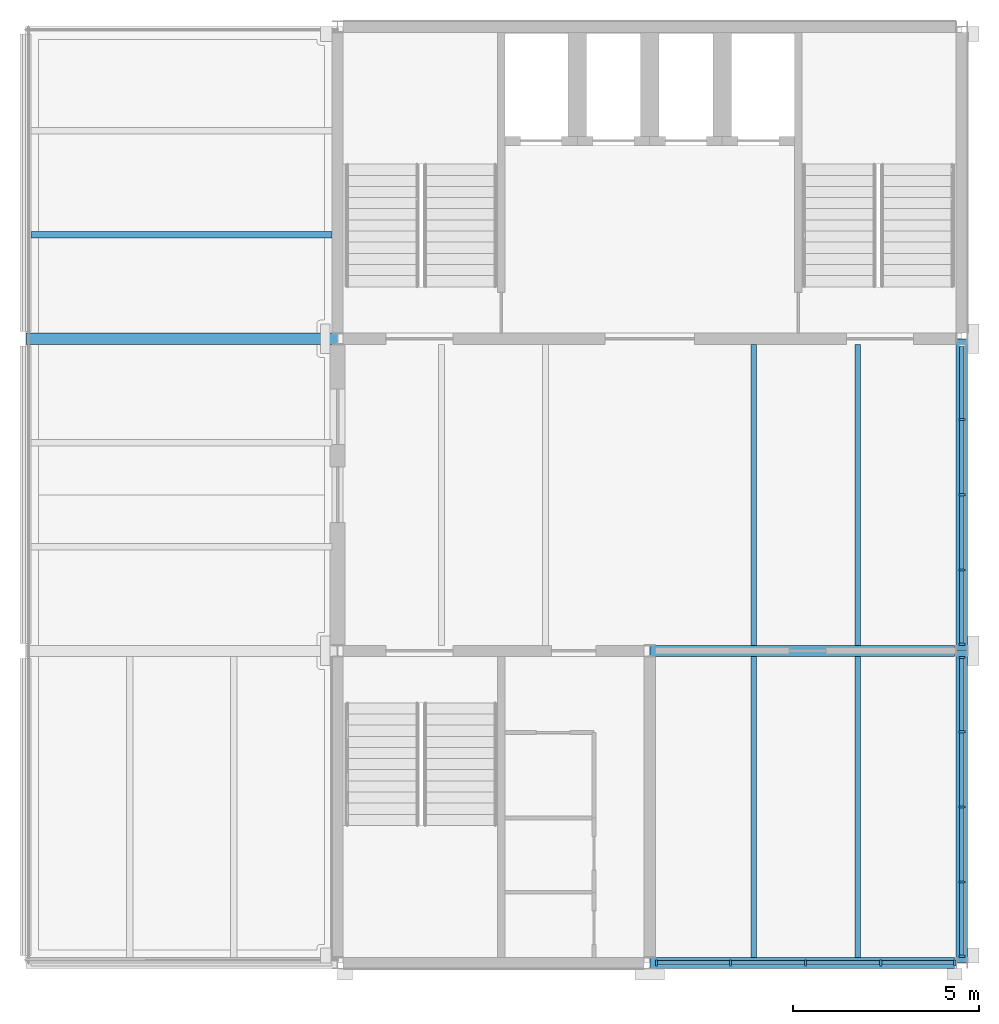
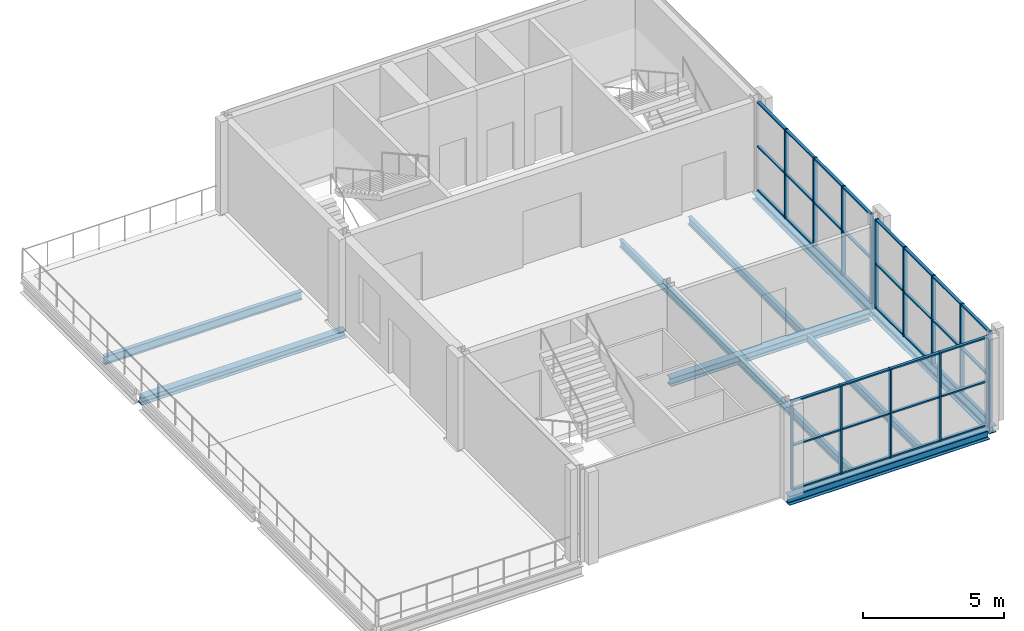
# One storey, part 2 of 6: 50 members, 10 beams, 3 elements without a shape of their own.
"""IFC4 building model written with IfcOpenShell, lengths in metres."""

from ifc_helpers import new_model, si_unit, direction, frame, origin, origin_2d, place, context, subcontext, project, spatial, rectangle, i_section, extrude, material, layer, layer_set, material_profile, profile_set, type_object, element, aggregate, save


model = new_model("IFC4")

# Units and contexts
model_context = context("Model", 3, precision=1e-05, world=origin(), true_north=direction((0.0, 1.0)))
body_context = subcontext(model_context, "Body", "Model", "MODEL_VIEW")
ifc_project = project(units=[si_unit("LENGTHUNIT", "METRE"), si_unit("AREAUNIT", "SQUARE_METRE"), si_unit("VOLUMEUNIT", "CUBIC_METRE"), si_unit("PLANEANGLEUNIT", "RADIAN"), si_unit("MASSUNIT", "GRAM", prefix="KILO")], contexts=[model_context])

# Site, building, storey
site_placement = place(None, origin())
site = spatial("IfcSite", under=ifc_project, at=site_placement, CompositionType="ELEMENT")
building_placement = place(site_placement, origin())
building = spatial("IfcBuilding", under=site, at=building_placement, Name="Galleria Vessillo Department Store", CompositionType="ELEMENT")
storey_placement = place(building_placement, frame((0.0, 0.0, 59.60009765625)))
storey = spatial("IfcBuildingStorey", under=building, at=storey_placement, Name="L13", CompositionType="ELEMENT", Elevation=59.60009765625)

# Curtain wall, members
ifc_material_1 = material(Name="Aluminium and glass curtain wall", Category="aluminium")
ifc_layer = layer(ifc_material_1, 0.159912109375)
ifc_layer_set = layer_set([ifc_layer], Name="Aluminium and glass curtain wall")
curtain_wall_type = type_object("IfcCurtainWallType", Name="Tower curtain wall CW4 2100 module", PredefinedType="NOTDEFINED", material=ifc_layer_set)
curtain_wall_1_placement = place(storey_placement, origin())
curtain_wall_1 = element("IfcCurtainWall", 1, at=curtain_wall_1_placement, inside=storey, type_object=curtain_wall_type, Name="Tower curtain wall CW4 2100 module TS-L13-01", PredefinedType="NOTDEFINED")
ifc_material_2 = material(Name="Aluminium alloy 6063 T6", Category="aluminium")
ifc_material_profile_1 = material_profile(ifc_material_2, rectangle(XDim=0.159912109375, YDim=0.06005859375, at=origin_2d()), Name="AL 60x160")
ifc_profile_set_1 = profile_set([ifc_material_profile_1], Name="Aluminium alloy 6063 T6")
member_type_1 = type_object("IfcMemberType", Name="Aluminium mullion 60 x 160", PredefinedType="MULLION", material=ifc_profile_set_1)
member_1_placement = place(storey_placement, frame((109.3798828125, 37.800048828125, 0.0), z_axis=(0.0, 0.0, 1.0), x_axis=(0.0, 1.0, 0.0)))
member_1 = element("IfcMember", 2, at=member_1_placement, type_object=member_type_1, Name="CW4 mullion 1", PredefinedType="MULLION", context=body_context, shape_type="SweptSolid", body=[
    extrude(rectangle(XDim=0.159912109375, YDim=0.06005859375, at=origin_2d()), origin(), (0.0, 0.0, 1.0), 3.85009765625),
])
member_2_placement = place(storey_placement, frame((111.37255859375, 37.800048828125, 0.0), z_axis=(0.0, 0.0, 1.0), x_axis=(0.0, 1.0, 0.0)))
member_2 = element("IfcMember", 3, at=member_2_placement, type_object=member_type_1, Name="CW4 mullion 2", PredefinedType="MULLION", context=body_context, shape_type="SweptSolid", body=[
    extrude(rectangle(XDim=0.159912109375, YDim=0.06005859375, at=origin_2d()), origin(), (0.0, 0.0, 1.0), 3.85009765625),
])
member_3_placement = place(storey_placement, frame((113.39501953125, 37.800048828125, 0.0), z_axis=(0.0, 0.0, 1.0), x_axis=(0.0, 1.0, 0.0)))
member_3 = element("IfcMember", 4, at=member_3_placement, type_object=member_type_1, Name="CW4 mullion 3", PredefinedType="MULLION", context=body_context, shape_type="SweptSolid", body=[
    extrude(rectangle(XDim=0.159912109375, YDim=0.06005859375, at=origin_2d()), origin(), (0.0, 0.0, 1.0), 3.85009765625),
])
member_4_placement = place(storey_placement, frame((115.41748046875, 37.800048828125, 0.0), z_axis=(0.0, 0.0, 1.0), x_axis=(0.0, 1.0, 0.0)))
member_4 = element("IfcMember", 5, at=member_4_placement, type_object=member_type_1, Name="CW4 mullion 4", PredefinedType="MULLION", context=body_context, shape_type="SweptSolid", body=[
    extrude(rectangle(XDim=0.159912109375, YDim=0.06005859375, at=origin_2d()), origin(), (0.0, 0.0, 1.0), 3.85009765625),
])
member_5_placement = place(storey_placement, frame((117.41015625, 37.800048828125, 0.0), z_axis=(0.0, 0.0, 1.0), x_axis=(0.0, 1.0, 0.0)))
member_5 = element("IfcMember", 6, at=member_5_placement, type_object=member_type_1, Name="CW4 mullion 5", PredefinedType="MULLION", context=body_context, shape_type="SweptSolid", body=[
    extrude(rectangle(XDim=0.159912109375, YDim=0.06005859375, at=origin_2d()), origin(), (0.0, 0.0, 1.0), 3.85009765625),
])

curtain_wall_2_placement = place(storey_placement, origin())
curtain_wall_2 = element("IfcCurtainWall", 7, at=curtain_wall_2_placement, inside=storey, type_object=curtain_wall_type, Name="Tower curtain wall CW4 2100 module TE-L13-01", PredefinedType="NOTDEFINED")
member_6_placement = place(storey_placement, frame((117.60009765625, 37.97998046875, 0.0), z_axis=(0.0, 0.0, 1.0), x_axis=(-1.0, 0.0, 0.0)))
member_6 = element("IfcMember", 8, at=member_6_placement, type_object=member_type_1, Name="CW4 mullion 1", PredefinedType="MULLION", context=body_context, shape_type="SweptSolid", body=[
    extrude(rectangle(XDim=0.159912109375, YDim=0.06005859375, at=origin_2d()), origin(), (0.0, 0.0, 1.0), 3.85009765625),
])
member_7_placement = place(storey_placement, frame((117.60009765625, 39.97509765625, 0.0), z_axis=(0.0, 0.0, 1.0), x_axis=(-1.0, 0.0, 0.0)))
member_7 = element("IfcMember", 9, at=member_7_placement, type_object=member_type_1, Name="CW4 mullion 2", PredefinedType="MULLION", context=body_context, shape_type="SweptSolid", body=[
    extrude(rectangle(XDim=0.159912109375, YDim=0.06005859375, at=origin_2d()), origin(), (0.0, 0.0, 1.0), 3.85009765625),
])
member_8_placement = place(storey_placement, frame((117.60009765625, 42.0, 0.0), z_axis=(0.0, 0.0, 1.0), x_axis=(-1.0, 0.0, 0.0)))
member_8 = element("IfcMember", 10, at=member_8_placement, type_object=member_type_1, Name="CW4 mullion 3", PredefinedType="MULLION", context=body_context, shape_type="SweptSolid", body=[
    extrude(rectangle(XDim=0.159912109375, YDim=0.06005859375, at=origin_2d()), origin(), (0.0, 0.0, 1.0), 3.85009765625),
])
member_9_placement = place(storey_placement, frame((117.60009765625, 44.02490234375, 0.0), z_axis=(0.0, 0.0, 1.0), x_axis=(-1.0, 0.0, 0.0)))
member_9 = element("IfcMember", 11, at=member_9_placement, type_object=member_type_1, Name="CW4 mullion 4", PredefinedType="MULLION", context=body_context, shape_type="SweptSolid", body=[
    extrude(rectangle(XDim=0.159912109375, YDim=0.06005859375, at=origin_2d()), origin(), (0.0, 0.0, 1.0), 3.85009765625),
])
member_10_placement = place(storey_placement, frame((117.60009765625, 46.02001953125, 0.0), z_axis=(0.0, 0.0, 1.0), x_axis=(-1.0, 0.0, 0.0)))
member_10 = element("IfcMember", 12, at=member_10_placement, type_object=member_type_1, Name="CW4 mullion 5", PredefinedType="MULLION", context=body_context, shape_type="SweptSolid", body=[
    extrude(rectangle(XDim=0.159912109375, YDim=0.06005859375, at=origin_2d()), origin(), (0.0, 0.0, 1.0), 3.85009765625),
])

curtain_wall_3_placement = place(storey_placement, origin())
curtain_wall_3 = element("IfcCurtainWall", 13, at=curtain_wall_3_placement, inside=storey, type_object=curtain_wall_type, Name="Tower curtain wall CW4 2100 module TE-L13-02", PredefinedType="NOTDEFINED")
member_11_placement = place(storey_placement, frame((117.60009765625, 46.3798828125, 0.0), z_axis=(0.0, 0.0, 1.0), x_axis=(-1.0, 0.0, 0.0)))
member_11 = element("IfcMember", 14, at=member_11_placement, type_object=member_type_1, Name="CW4 mullion 1", PredefinedType="MULLION", context=body_context, shape_type="SweptSolid", body=[
    extrude(rectangle(XDim=0.159912109375, YDim=0.06005859375, at=origin_2d()), origin(), (0.0, 0.0, 1.0), 3.85009765625),
])
member_12_placement = place(storey_placement, frame((117.60009765625, 48.375, 0.0), z_axis=(0.0, 0.0, 1.0), x_axis=(-1.0, 0.0, 0.0)))
member_12 = element("IfcMember", 15, at=member_12_placement, type_object=member_type_1, Name="CW4 mullion 2", PredefinedType="MULLION", context=body_context, shape_type="SweptSolid", body=[
    extrude(rectangle(XDim=0.159912109375, YDim=0.06005859375, at=origin_2d()), origin(), (0.0, 0.0, 1.0), 3.85009765625),
])
member_13_placement = place(storey_placement, frame((117.60009765625, 50.39990234375, 0.0), z_axis=(0.0, 0.0, 1.0), x_axis=(-1.0, 0.0, 0.0)))
member_13 = element("IfcMember", 16, at=member_13_placement, type_object=member_type_1, Name="CW4 mullion 3", PredefinedType="MULLION", context=body_context, shape_type="SweptSolid", body=[
    extrude(rectangle(XDim=0.159912109375, YDim=0.06005859375, at=origin_2d()), origin(), (0.0, 0.0, 1.0), 3.85009765625),
])
member_14_placement = place(storey_placement, frame((117.60009765625, 52.425048828125, 0.0), z_axis=(0.0, 0.0, 1.0), x_axis=(-1.0, 0.0, 0.0)))
member_14 = element("IfcMember", 17, at=member_14_placement, type_object=member_type_1, Name="CW4 mullion 4", PredefinedType="MULLION", context=body_context, shape_type="SweptSolid", body=[
    extrude(rectangle(XDim=0.159912109375, YDim=0.06005859375, at=origin_2d()), origin(), (0.0, 0.0, 1.0), 3.85009765625),
])

# Member
ifc_material_3 = material(Name="Aluminium alloy 6063 T6", Category="aluminium")
ifc_material_profile_2 = material_profile(ifc_material_3, rectangle(XDim=0.1201171875, YDim=0.06005859375, at=origin_2d()), Name="AL 60x120")
ifc_profile_set_2 = profile_set([ifc_material_profile_2], Name="Aluminium alloy 6063 T6")
member_type_2 = type_object("IfcMemberType", Name="Aluminium transom 60 x 120", PredefinedType="USERDEFINED", material=ifc_profile_set_2)
member_15_placement = place(storey_placement, frame((109.409912109375, 37.800048828125, 0.030029296875), z_axis=(1.0, 0.0, 0.0), x_axis=(0.0, 1.0, 0.0)))
member_15 = element("IfcMember", 18, at=member_15_placement, type_object=member_type_2, Name="CW4 transom 1.1", ObjectType="TRANSOM", PredefinedType="USERDEFINED", context=body_context, shape_type="SweptSolid", body=[
    extrude(rectangle(XDim=0.1201171875, YDim=0.06005859375, at=origin_2d()), origin(), (0.0, 0.0, 1.0), 1.9326171875),
])

member_16_placement = place(storey_placement, frame((109.409912109375, 37.800048828125, 1.925048828125), z_axis=(1.0, 0.0, 0.0), x_axis=(0.0, 1.0, 0.0)))
member_16 = element("IfcMember", 19, at=member_16_placement, type_object=member_type_2, Name="CW4 transom 1.2", ObjectType="TRANSOM", PredefinedType="USERDEFINED", context=body_context, shape_type="SweptSolid", body=[
    extrude(rectangle(XDim=0.1201171875, YDim=0.06005859375, at=origin_2d()), origin(), (0.0, 0.0, 1.0), 1.9326171875),
])

member_17_placement = place(storey_placement, frame((109.409912109375, 37.800048828125, 3.820068359375), z_axis=(1.0, 0.0, 0.0), x_axis=(0.0, 1.0, 0.0)))
member_17 = element("IfcMember", 20, at=member_17_placement, type_object=member_type_2, Name="CW4 transom 1.3", ObjectType="TRANSOM", PredefinedType="USERDEFINED", context=body_context, shape_type="SweptSolid", body=[
    extrude(rectangle(XDim=0.1201171875, YDim=0.06005859375, at=origin_2d()), origin(), (0.0, 0.0, 1.0), 1.9326171875),
])

member_18_placement = place(storey_placement, frame((111.40234375, 37.800048828125, 0.030029296875), z_axis=(1.0, 0.0, 0.0), x_axis=(0.0, 1.0, 0.0)))
member_18 = element("IfcMember", 21, at=member_18_placement, type_object=member_type_2, Name="CW4 transom 2.1", ObjectType="TRANSOM", PredefinedType="USERDEFINED", context=body_context, shape_type="SweptSolid", body=[
    extrude(rectangle(XDim=0.1201171875, YDim=0.06005859375, at=origin_2d()), origin(), (0.0, 0.0, 1.0), 1.962646484375),
])

member_19_placement = place(storey_placement, frame((111.40234375, 37.800048828125, 1.925048828125), z_axis=(1.0, 0.0, 0.0), x_axis=(0.0, 1.0, 0.0)))
member_19 = element("IfcMember", 22, at=member_19_placement, type_object=member_type_2, Name="CW4 transom 2.2", ObjectType="TRANSOM", PredefinedType="USERDEFINED", context=body_context, shape_type="SweptSolid", body=[
    extrude(rectangle(XDim=0.1201171875, YDim=0.06005859375, at=origin_2d()), origin(), (0.0, 0.0, 1.0), 1.962646484375),
])

member_20_placement = place(storey_placement, frame((111.40234375, 37.800048828125, 3.820068359375), z_axis=(1.0, 0.0, 0.0), x_axis=(0.0, 1.0, 0.0)))
member_20 = element("IfcMember", 23, at=member_20_placement, type_object=member_type_2, Name="CW4 transom 2.3", ObjectType="TRANSOM", PredefinedType="USERDEFINED", context=body_context, shape_type="SweptSolid", body=[
    extrude(rectangle(XDim=0.1201171875, YDim=0.06005859375, at=origin_2d()), origin(), (0.0, 0.0, 1.0), 1.962646484375),
])

member_21_placement = place(storey_placement, frame((113.425048828125, 37.800048828125, 0.030029296875), z_axis=(1.0, 0.0, 0.0), x_axis=(0.0, 1.0, 0.0)))
member_21 = element("IfcMember", 24, at=member_21_placement, type_object=member_type_2, Name="CW4 transom 3.1", ObjectType="TRANSOM", PredefinedType="USERDEFINED", context=body_context, shape_type="SweptSolid", body=[
    extrude(rectangle(XDim=0.1201171875, YDim=0.06005859375, at=origin_2d()), origin(), (0.0, 0.0, 1.0), 1.962646484375),
])

member_22_placement = place(storey_placement, frame((113.425048828125, 37.800048828125, 1.925048828125), z_axis=(1.0, 0.0, 0.0), x_axis=(0.0, 1.0, 0.0)))
member_22 = element("IfcMember", 25, at=member_22_placement, type_object=member_type_2, Name="CW4 transom 3.2", ObjectType="TRANSOM", PredefinedType="USERDEFINED", context=body_context, shape_type="SweptSolid", body=[
    extrude(rectangle(XDim=0.1201171875, YDim=0.06005859375, at=origin_2d()), origin(), (0.0, 0.0, 1.0), 1.962646484375),
])

member_23_placement = place(storey_placement, frame((113.425048828125, 37.800048828125, 3.820068359375), z_axis=(1.0, 0.0, 0.0), x_axis=(0.0, 1.0, 0.0)))
member_23 = element("IfcMember", 26, at=member_23_placement, type_object=member_type_2, Name="CW4 transom 3.3", ObjectType="TRANSOM", PredefinedType="USERDEFINED", context=body_context, shape_type="SweptSolid", body=[
    extrude(rectangle(XDim=0.1201171875, YDim=0.06005859375, at=origin_2d()), origin(), (0.0, 0.0, 1.0), 1.962646484375),
])

member_24_placement = place(storey_placement, frame((115.447509765625, 37.800048828125, 0.030029296875), z_axis=(1.0, 0.0, 0.0), x_axis=(0.0, 1.0, 0.0)))
member_24 = element("IfcMember", 27, at=member_24_placement, type_object=member_type_2, Name="CW4 transom 4.1", ObjectType="TRANSOM", PredefinedType="USERDEFINED", context=body_context, shape_type="SweptSolid", body=[
    extrude(rectangle(XDim=0.1201171875, YDim=0.06005859375, at=origin_2d()), origin(), (0.0, 0.0, 1.0), 1.9326171875),
])

member_25_placement = place(storey_placement, frame((115.447509765625, 37.800048828125, 1.925048828125), z_axis=(1.0, 0.0, 0.0), x_axis=(0.0, 1.0, 0.0)))
member_25 = element("IfcMember", 28, at=member_25_placement, type_object=member_type_2, Name="CW4 transom 4.2", ObjectType="TRANSOM", PredefinedType="USERDEFINED", context=body_context, shape_type="SweptSolid", body=[
    extrude(rectangle(XDim=0.1201171875, YDim=0.06005859375, at=origin_2d()), origin(), (0.0, 0.0, 1.0), 1.9326171875),
])

member_26_placement = place(storey_placement, frame((115.447509765625, 37.800048828125, 3.820068359375), z_axis=(1.0, 0.0, 0.0), x_axis=(0.0, 1.0, 0.0)))
member_26 = element("IfcMember", 29, at=member_26_placement, type_object=member_type_2, Name="CW4 transom 4.3", ObjectType="TRANSOM", PredefinedType="USERDEFINED", context=body_context, shape_type="SweptSolid", body=[
    extrude(rectangle(XDim=0.1201171875, YDim=0.06005859375, at=origin_2d()), origin(), (0.0, 0.0, 1.0), 1.9326171875),
])

aggregate(curtain_wall_1, [member_1, member_2, member_3, member_4, member_5, member_15, member_16, member_17, member_18, member_19, member_20, member_21, member_22, member_23, member_24, member_25, member_26])

member_27_placement = place(storey_placement, frame((117.60009765625, 38.010009765625, 0.030029296875), z_axis=(0.0, 1.0, 0.0), x_axis=(-1.0, 0.0, 0.0)))
member_27 = element("IfcMember", 30, at=member_27_placement, type_object=member_type_2, Name="CW4 transom 1.1", ObjectType="TRANSOM", PredefinedType="USERDEFINED", context=body_context, shape_type="SweptSolid", body=[
    extrude(rectangle(XDim=0.1201171875, YDim=0.06005859375, at=origin_2d()), origin(), (0.0, 0.0, 1.0), 1.93505859375),
])

member_28_placement = place(storey_placement, frame((117.60009765625, 38.010009765625, 1.925048828125), z_axis=(0.0, 1.0, 0.0), x_axis=(-1.0, 0.0, 0.0)))
member_28 = element("IfcMember", 31, at=member_28_placement, type_object=member_type_2, Name="CW4 transom 1.2", ObjectType="TRANSOM", PredefinedType="USERDEFINED", context=body_context, shape_type="SweptSolid", body=[
    extrude(rectangle(XDim=0.1201171875, YDim=0.06005859375, at=origin_2d()), origin(), (0.0, 0.0, 1.0), 1.93505859375),
])

member_29_placement = place(storey_placement, frame((117.60009765625, 38.010009765625, 3.820068359375), z_axis=(0.0, 1.0, 0.0), x_axis=(-1.0, 0.0, 0.0)))
member_29 = element("IfcMember", 32, at=member_29_placement, type_object=member_type_2, Name="CW4 transom 1.3", ObjectType="TRANSOM", PredefinedType="USERDEFINED", context=body_context, shape_type="SweptSolid", body=[
    extrude(rectangle(XDim=0.1201171875, YDim=0.06005859375, at=origin_2d()), origin(), (0.0, 0.0, 1.0), 1.93505859375),
])

member_30_placement = place(storey_placement, frame((117.60009765625, 40.0048828125, 0.030029296875), z_axis=(0.0, 1.0, 0.0), x_axis=(-1.0, 0.0, 0.0)))
member_30 = element("IfcMember", 33, at=member_30_placement, type_object=member_type_2, Name="CW4 transom 2.1", ObjectType="TRANSOM", PredefinedType="USERDEFINED", context=body_context, shape_type="SweptSolid", body=[
    extrude(rectangle(XDim=0.1201171875, YDim=0.06005859375, at=origin_2d()), origin(), (0.0, 0.0, 1.0), 1.965087890625),
])

member_31_placement = place(storey_placement, frame((117.60009765625, 40.0048828125, 1.925048828125), z_axis=(0.0, 1.0, 0.0), x_axis=(-1.0, 0.0, 0.0)))
member_31 = element("IfcMember", 34, at=member_31_placement, type_object=member_type_2, Name="CW4 transom 2.2", ObjectType="TRANSOM", PredefinedType="USERDEFINED", context=body_context, shape_type="SweptSolid", body=[
    extrude(rectangle(XDim=0.1201171875, YDim=0.06005859375, at=origin_2d()), origin(), (0.0, 0.0, 1.0), 1.965087890625),
])

member_32_placement = place(storey_placement, frame((117.60009765625, 40.0048828125, 3.820068359375), z_axis=(0.0, 1.0, 0.0), x_axis=(-1.0, 0.0, 0.0)))
member_32 = element("IfcMember", 35, at=member_32_placement, type_object=member_type_2, Name="CW4 transom 2.3", ObjectType="TRANSOM", PredefinedType="USERDEFINED", context=body_context, shape_type="SweptSolid", body=[
    extrude(rectangle(XDim=0.1201171875, YDim=0.06005859375, at=origin_2d()), origin(), (0.0, 0.0, 1.0), 1.965087890625),
])

member_33_placement = place(storey_placement, frame((117.60009765625, 42.030029296875, 0.030029296875), z_axis=(0.0, 1.0, 0.0), x_axis=(-1.0, 0.0, 0.0)))
member_33 = element("IfcMember", 36, at=member_33_placement, type_object=member_type_2, Name="CW4 transom 3.1", ObjectType="TRANSOM", PredefinedType="USERDEFINED", context=body_context, shape_type="SweptSolid", body=[
    extrude(rectangle(XDim=0.1201171875, YDim=0.06005859375, at=origin_2d()), origin(), (0.0, 0.0, 1.0), 1.965087890625),
])

member_34_placement = place(storey_placement, frame((117.60009765625, 42.030029296875, 1.925048828125), z_axis=(0.0, 1.0, 0.0), x_axis=(-1.0, 0.0, 0.0)))
member_34 = element("IfcMember", 37, at=member_34_placement, type_object=member_type_2, Name="CW4 transom 3.2", ObjectType="TRANSOM", PredefinedType="USERDEFINED", context=body_context, shape_type="SweptSolid", body=[
    extrude(rectangle(XDim=0.1201171875, YDim=0.06005859375, at=origin_2d()), origin(), (0.0, 0.0, 1.0), 1.965087890625),
])

member_35_placement = place(storey_placement, frame((117.60009765625, 42.030029296875, 3.820068359375), z_axis=(0.0, 1.0, 0.0), x_axis=(-1.0, 0.0, 0.0)))
member_35 = element("IfcMember", 38, at=member_35_placement, type_object=member_type_2, Name="CW4 transom 3.3", ObjectType="TRANSOM", PredefinedType="USERDEFINED", context=body_context, shape_type="SweptSolid", body=[
    extrude(rectangle(XDim=0.1201171875, YDim=0.06005859375, at=origin_2d()), origin(), (0.0, 0.0, 1.0), 1.965087890625),
])

member_36_placement = place(storey_placement, frame((117.60009765625, 44.054931640625, 0.030029296875), z_axis=(0.0, 1.0, 0.0), x_axis=(-1.0, 0.0, 0.0)))
member_36 = element("IfcMember", 39, at=member_36_placement, type_object=member_type_2, Name="CW4 transom 4.1", ObjectType="TRANSOM", PredefinedType="USERDEFINED", context=body_context, shape_type="SweptSolid", body=[
    extrude(rectangle(XDim=0.1201171875, YDim=0.06005859375, at=origin_2d()), origin(), (0.0, 0.0, 1.0), 1.93505859375),
])

member_37_placement = place(storey_placement, frame((117.60009765625, 44.054931640625, 1.925048828125), z_axis=(0.0, 1.0, 0.0), x_axis=(-1.0, 0.0, 0.0)))
member_37 = element("IfcMember", 40, at=member_37_placement, type_object=member_type_2, Name="CW4 transom 4.2", ObjectType="TRANSOM", PredefinedType="USERDEFINED", context=body_context, shape_type="SweptSolid", body=[
    extrude(rectangle(XDim=0.1201171875, YDim=0.06005859375, at=origin_2d()), origin(), (0.0, 0.0, 1.0), 1.93505859375),
])

member_38_placement = place(storey_placement, frame((117.60009765625, 44.054931640625, 3.820068359375), z_axis=(0.0, 1.0, 0.0), x_axis=(-1.0, 0.0, 0.0)))
member_38 = element("IfcMember", 41, at=member_38_placement, type_object=member_type_2, Name="CW4 transom 4.3", ObjectType="TRANSOM", PredefinedType="USERDEFINED", context=body_context, shape_type="SweptSolid", body=[
    extrude(rectangle(XDim=0.1201171875, YDim=0.06005859375, at=origin_2d()), origin(), (0.0, 0.0, 1.0), 1.93505859375),
])

aggregate(curtain_wall_2, [member_6, member_7, member_8, member_9, member_10, member_27, member_28, member_29, member_30, member_31, member_32, member_33, member_34, member_35, member_36, member_37, member_38])

member_39_placement = place(storey_placement, frame((117.60009765625, 46.409912109375, 0.030029296875), z_axis=(0.0, 1.0, 0.0), x_axis=(-1.0, 0.0, 0.0)))
member_39 = element("IfcMember", 42, at=member_39_placement, type_object=member_type_2, Name="CW4 transom 1.1", ObjectType="TRANSOM", PredefinedType="USERDEFINED", context=body_context, shape_type="SweptSolid", body=[
    extrude(rectangle(XDim=0.1201171875, YDim=0.06005859375, at=origin_2d()), origin(), (0.0, 0.0, 1.0), 1.93505859375),
])

member_40_placement = place(storey_placement, frame((117.60009765625, 46.409912109375, 1.925048828125), z_axis=(0.0, 1.0, 0.0), x_axis=(-1.0, 0.0, 0.0)))
member_40 = element("IfcMember", 43, at=member_40_placement, type_object=member_type_2, Name="CW4 transom 1.2", ObjectType="TRANSOM", PredefinedType="USERDEFINED", context=body_context, shape_type="SweptSolid", body=[
    extrude(rectangle(XDim=0.1201171875, YDim=0.06005859375, at=origin_2d()), origin(), (0.0, 0.0, 1.0), 1.93505859375),
])

member_41_placement = place(storey_placement, frame((117.60009765625, 46.409912109375, 3.820068359375), z_axis=(0.0, 1.0, 0.0), x_axis=(-1.0, 0.0, 0.0)))
member_41 = element("IfcMember", 44, at=member_41_placement, type_object=member_type_2, Name="CW4 transom 1.3", ObjectType="TRANSOM", PredefinedType="USERDEFINED", context=body_context, shape_type="SweptSolid", body=[
    extrude(rectangle(XDim=0.1201171875, YDim=0.06005859375, at=origin_2d()), origin(), (0.0, 0.0, 1.0), 1.93505859375),
])

member_42_placement = place(storey_placement, frame((117.60009765625, 48.405029296875, 0.030029296875), z_axis=(0.0, 1.0, 0.0), x_axis=(-1.0, 0.0, 0.0)))
member_42 = element("IfcMember", 45, at=member_42_placement, type_object=member_type_2, Name="CW4 transom 2.1", ObjectType="TRANSOM", PredefinedType="USERDEFINED", context=body_context, shape_type="SweptSolid", body=[
    extrude(rectangle(XDim=0.1201171875, YDim=0.06005859375, at=origin_2d()), origin(), (0.0, 0.0, 1.0), 1.965087890625),
])

member_43_placement = place(storey_placement, frame((117.60009765625, 48.405029296875, 1.925048828125), z_axis=(0.0, 1.0, 0.0), x_axis=(-1.0, 0.0, 0.0)))
member_43 = element("IfcMember", 46, at=member_43_placement, type_object=member_type_2, Name="CW4 transom 2.2", ObjectType="TRANSOM", PredefinedType="USERDEFINED", context=body_context, shape_type="SweptSolid", body=[
    extrude(rectangle(XDim=0.1201171875, YDim=0.06005859375, at=origin_2d()), origin(), (0.0, 0.0, 1.0), 1.965087890625),
])

member_44_placement = place(storey_placement, frame((117.60009765625, 48.405029296875, 3.820068359375), z_axis=(0.0, 1.0, 0.0), x_axis=(-1.0, 0.0, 0.0)))
member_44 = element("IfcMember", 47, at=member_44_placement, type_object=member_type_2, Name="CW4 transom 2.3", ObjectType="TRANSOM", PredefinedType="USERDEFINED", context=body_context, shape_type="SweptSolid", body=[
    extrude(rectangle(XDim=0.1201171875, YDim=0.06005859375, at=origin_2d()), origin(), (0.0, 0.0, 1.0), 1.965087890625),
])

member_45_placement = place(storey_placement, frame((117.60009765625, 50.429931640625, 0.030029296875), z_axis=(0.0, 1.0, 0.0), x_axis=(-1.0, 0.0, 0.0)))
member_45 = element("IfcMember", 48, at=member_45_placement, type_object=member_type_2, Name="CW4 transom 3.1", ObjectType="TRANSOM", PredefinedType="USERDEFINED", context=body_context, shape_type="SweptSolid", body=[
    extrude(rectangle(XDim=0.1201171875, YDim=0.06005859375, at=origin_2d()), origin(), (0.0, 0.0, 1.0), 1.965087890625),
])

member_46_placement = place(storey_placement, frame((117.60009765625, 50.429931640625, 1.925048828125), z_axis=(0.0, 1.0, 0.0), x_axis=(-1.0, 0.0, 0.0)))
member_46 = element("IfcMember", 49, at=member_46_placement, type_object=member_type_2, Name="CW4 transom 3.2", ObjectType="TRANSOM", PredefinedType="USERDEFINED", context=body_context, shape_type="SweptSolid", body=[
    extrude(rectangle(XDim=0.1201171875, YDim=0.06005859375, at=origin_2d()), origin(), (0.0, 0.0, 1.0), 1.965087890625),
])

member_47_placement = place(storey_placement, frame((117.60009765625, 50.429931640625, 3.820068359375), z_axis=(0.0, 1.0, 0.0), x_axis=(-1.0, 0.0, 0.0)))
member_47 = element("IfcMember", 50, at=member_47_placement, type_object=member_type_2, Name="CW4 transom 3.3", ObjectType="TRANSOM", PredefinedType="USERDEFINED", context=body_context, shape_type="SweptSolid", body=[
    extrude(rectangle(XDim=0.1201171875, YDim=0.06005859375, at=origin_2d()), origin(), (0.0, 0.0, 1.0), 1.965087890625),
])

member_48_placement = place(storey_placement, frame((117.60009765625, 52.455078125, 0.030029296875), z_axis=(0.0, 1.0, 0.0), x_axis=(-1.0, 0.0, 0.0)))
member_48 = element("IfcMember", 51, at=member_48_placement, type_object=member_type_2, Name="CW4 transom 4.1", ObjectType="TRANSOM", PredefinedType="USERDEFINED", context=body_context, shape_type="SweptSolid", body=[
    extrude(rectangle(XDim=0.1201171875, YDim=0.06005859375, at=origin_2d()), origin(), (0.0, 0.0, 1.0), 1.93505859375),
])

member_49_placement = place(storey_placement, frame((117.60009765625, 52.455078125, 1.925048828125), z_axis=(0.0, 1.0, 0.0), x_axis=(-1.0, 0.0, 0.0)))
member_49 = element("IfcMember", 52, at=member_49_placement, type_object=member_type_2, Name="CW4 transom 4.2", ObjectType="TRANSOM", PredefinedType="USERDEFINED", context=body_context, shape_type="SweptSolid", body=[
    extrude(rectangle(XDim=0.1201171875, YDim=0.06005859375, at=origin_2d()), origin(), (0.0, 0.0, 1.0), 1.93505859375),
])

member_50_placement = place(storey_placement, frame((117.60009765625, 52.455078125, 3.820068359375), z_axis=(0.0, 1.0, 0.0), x_axis=(-1.0, 0.0, 0.0)))
member_50 = element("IfcMember", 53, at=member_50_placement, type_object=member_type_2, Name="CW4 transom 4.3", ObjectType="TRANSOM", PredefinedType="USERDEFINED", context=body_context, shape_type="SweptSolid", body=[
    extrude(rectangle(XDim=0.1201171875, YDim=0.06005859375, at=origin_2d()), origin(), (0.0, 0.0, 1.0), 1.93505859375),
])

aggregate(curtain_wall_3, [member_11, member_12, member_13, member_14, member_39, member_40, member_41, member_42, member_43, member_44, member_45, member_46, member_47, member_48, member_49, member_50])

# Beams
ifc_material_4 = material(Name="Steel S355 J2", Category="steel")
ifc_material_profile_3 = material_profile(ifc_material_4, i_section(OverallWidth=0.300048828125, OverallDepth=0.35009765625, WebThickness=0.010009765625, FlangeThickness=0.017578125, FilletRadius=0.027099609375, at=origin_2d()), Name="HEA 360")
ifc_profile_set_3 = profile_set([ifc_material_profile_3], Name="Steel S355 J2")
beam_type_1 = type_object("IfcBeamType", Name="Floor girder HEA 360", PredefinedType="BEAM", material=ifc_profile_set_3)
beam_1_placement = place(storey_placement, frame((109.206787109375, 46.199951171875, -0.324951171875), z_axis=(1.0, 0.0, 0.0), x_axis=(0.0, 1.0, 0.0)))
element("IfcBeam", 54, at=beam_1_placement, inside=storey, type_object=beam_type_1, Name="S-BM-L13-GI-x46200-109207", PredefinedType="BEAM", context=body_context, shape_type="SweptSolid", body=[
    extrude(i_section(OverallWidth=0.300048828125, OverallDepth=0.35009765625, WebThickness=0.010009765625, FlangeThickness=0.017578125, FilletRadius=0.027099609375, at=origin_2d()), origin(), (0.0, 0.0, 1.0), 8.193115234375),
])
ifc_material_5 = material(Name="Steel S355 J2", Category="steel")
ifc_material_profile_4 = material_profile(ifc_material_5, i_section(OverallWidth=0.159912109375, OverallDepth=0.330078125, WebThickness=0.007568359375, FlangeThickness=0.011474609375, FilletRadius=0.01806640625, at=origin_2d()), Name="IPE 330")
ifc_profile_set_4 = profile_set([ifc_material_profile_4], Name="Steel S355 J2")
beam_type_2 = type_object("IfcBeamType", Name="Floor joist IPE 330", PredefinedType="JOIST", material=ifc_profile_set_4)
for number, where, z_axis, x_axis, name in (
    (55, (112.0, 37.9501953125, -0.31494140625), (0.0, 1.0, 0.0), (-1.0, 0.0, 0.0), "S-BM-L13-JO-y112000-37950"),
    (56, (114.800048828125, 37.9501953125, -0.31494140625), (0.0, 1.0, 0.0), (-1.0, 0.0, 0.0), "S-BM-L13-JO-y114800-37950"),
):
    element("IfcBeam", number, at=place(storey_placement, frame(where, z_axis=z_axis, x_axis=x_axis)), inside=storey, type_object=beam_type_2, Name=name, PredefinedType="JOIST", context=body_context, shape_type="SweptSolid", body=[
        extrude(i_section(OverallWidth=0.159912109375, OverallDepth=0.330078125, WebThickness=0.007568359375, FlangeThickness=0.011474609375, FilletRadius=0.01806640625, at=origin_2d()), origin(), (0.0, 0.0, 1.0), 8.099609375),
    ])
for number, where, z_axis, x_axis, name in (
    (57, (112.0, 46.35009765625, -0.31494140625), (0.0, 1.0, 0.0), (-1.0, 0.0, 0.0), "S-BM-L13-JO-y112000-46350"),
    (58, (114.800048828125, 46.35009765625, -0.31494140625), (0.0, 1.0, 0.0), (-1.0, 0.0, 0.0), "S-BM-L13-JO-y114800-46350"),
):
    element("IfcBeam", number, at=place(storey_placement, frame(where, z_axis=z_axis, x_axis=x_axis)), inside=storey, type_object=beam_type_2, Name=name, PredefinedType="JOIST", context=body_context, shape_type="SweptSolid", body=[
        extrude(i_section(OverallWidth=0.159912109375, OverallDepth=0.330078125, WebThickness=0.007568359375, FlangeThickness=0.011474609375, FilletRadius=0.01806640625, at=origin_2d()), origin(), (0.0, 0.0, 1.0), 8.099853515625),
    ])
ifc_material_6 = material(Name="Steel S355 J2", Category="steel")
ifc_material_profile_5 = material_profile(ifc_material_6, i_section(OverallWidth=0.169921875, OverallDepth=0.360107421875, WebThickness=0.008056640625, FlangeThickness=0.0126953125, FilletRadius=0.01806640625, at=origin_2d()), Name="IPE 360")
ifc_profile_set_5 = profile_set([ifc_material_profile_5], Name="Steel S355 J2")
beam_type_3 = type_object("IfcBeamType", Name="Floor joist IPE 360", PredefinedType="JOIST", material=ifc_profile_set_5)
beam_2_placement = place(storey_placement, frame((92.550048828125, 57.39990234375, -0.3798828125), z_axis=(1.0, 0.0, 0.0), x_axis=(0.0, 1.0, 0.0)))
element("IfcBeam", 59, at=beam_2_placement, inside=storey, type_object=beam_type_3, Name="S-BM-L13-JO-x57400-92550", PredefinedType="JOIST", context=body_context, shape_type="SweptSolid", body=[
    extrude(i_section(OverallWidth=0.169921875, OverallDepth=0.360107421875, WebThickness=0.008056640625, FlangeThickness=0.0126953125, FilletRadius=0.01806640625, at=origin_2d()), origin(), (0.0, 0.0, 1.0), 8.099853515625),
])
ifc_material_7 = material(Name="Steel S355 J2", Category="steel")
ifc_material_profile_6 = material_profile(ifc_material_7, i_section(OverallWidth=0.300048828125, OverallDepth=0.31005859375, WebThickness=0.009033203125, FlangeThickness=0.015380859375, FilletRadius=0.027099609375, at=origin_2d()), Name="HEA 320")
ifc_profile_set_6 = profile_set([ifc_material_profile_6], Name="Steel S355 J2")
beam_type_4 = type_object("IfcBeamType", Name="Floor tie girder HEA 320", PredefinedType="BEAM", material=ifc_profile_set_6)
beam_3_placement = place(storey_placement, frame((92.406982421875, 54.60009765625, -0.35498046875), z_axis=(1.0, 0.0, 0.0), x_axis=(0.0, 1.0, 0.0)))
element("IfcBeam", 60, at=beam_3_placement, inside=storey, type_object=beam_type_4, Name="S-BM-L13-TI-x54600-92407", PredefinedType="BEAM", context=body_context, shape_type="SweptSolid", body=[
    extrude(i_section(OverallWidth=0.300048828125, OverallDepth=0.31005859375, WebThickness=0.009033203125, FlangeThickness=0.015380859375, FilletRadius=0.027099609375, at=origin_2d()), origin(), (0.0, 0.0, 1.0), 8.38623046875),
])
ifc_material_8 = material(Name="Steel S355 J2", Category="steel")
ifc_material_profile_7 = material_profile(ifc_material_8, i_section(OverallWidth=0.300048828125, OverallDepth=0.2900390625, WebThickness=0.008544921875, FlangeThickness=0.013916015625, FilletRadius=0.027099609375, at=origin_2d()), Name="HEA 300")
ifc_profile_set_7 = profile_set([ifc_material_profile_7], Name="Steel S355 J2")
beam_type_5 = type_object("IfcBeamType", Name="Spandrel beam HEA 300", PredefinedType="SPANDREL", material=ifc_profile_set_7)
for number, where, z_axis, x_axis, name in (
    (61, (117.60009765625, 37.806884765625, -0.294921875), (0.0, 1.0, 0.0), (-1.0, 0.0, 0.0), "S-BM-L13-SP-y117600-37807"),
    (62, (117.60009765625, 46.206787109375, -0.294921875), (0.0, 1.0, 0.0), (-1.0, 0.0, 0.0), "S-BM-L13-SP-y117600-46207"),
):
    element("IfcBeam", number, at=place(storey_placement, frame(where, z_axis=z_axis, x_axis=x_axis)), inside=storey, type_object=beam_type_5, Name=name, PredefinedType="SPANDREL", context=body_context, shape_type="SweptSolid", body=[
        extrude(i_section(OverallWidth=0.300048828125, OverallDepth=0.2900390625, WebThickness=0.008544921875, FlangeThickness=0.013916015625, FilletRadius=0.027099609375, at=origin_2d()), origin(), (0.0, 0.0, 1.0), 8.38623046875),
    ])
ifc_material_9 = material(Name="Steel S355 J2", Category="steel")
ifc_material_profile_8 = material_profile(ifc_material_9, i_section(OverallWidth=0.300048828125, OverallDepth=0.389892578125, WebThickness=0.010986328125, FlangeThickness=0.01904296875, FilletRadius=0.027099609375, at=origin_2d()), Name="HEA 400")
ifc_profile_set_8 = profile_set([ifc_material_profile_8], Name="Steel S355 J2")
beam_type_6 = type_object("IfcBeamType", Name="Trimmer beam HEA 400", PredefinedType="BEAM", material=ifc_profile_set_8)
beam_4_placement = place(storey_placement, frame((109.206787109375, 37.800048828125, -0.344970703125), z_axis=(1.0, 0.0, 0.0), x_axis=(0.0, 1.0, 0.0)))
element("IfcBeam", 63, at=beam_4_placement, inside=storey, type_object=beam_type_6, Name="S-BM-L13-TR-x37800-109207", PredefinedType="BEAM", context=body_context, shape_type="SweptSolid", body=[
    extrude(i_section(OverallWidth=0.300048828125, OverallDepth=0.389892578125, WebThickness=0.010986328125, FlangeThickness=0.01904296875, FilletRadius=0.027099609375, at=origin_2d()), origin(), (0.0, 0.0, 1.0), 8.193115234375),
])

save(model, "model.ifc")
